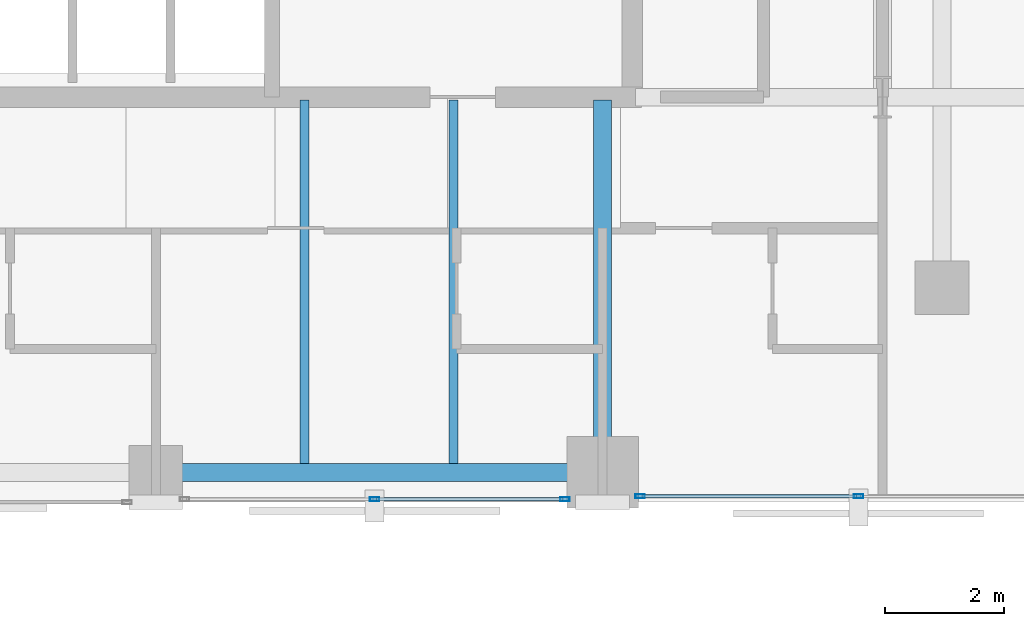
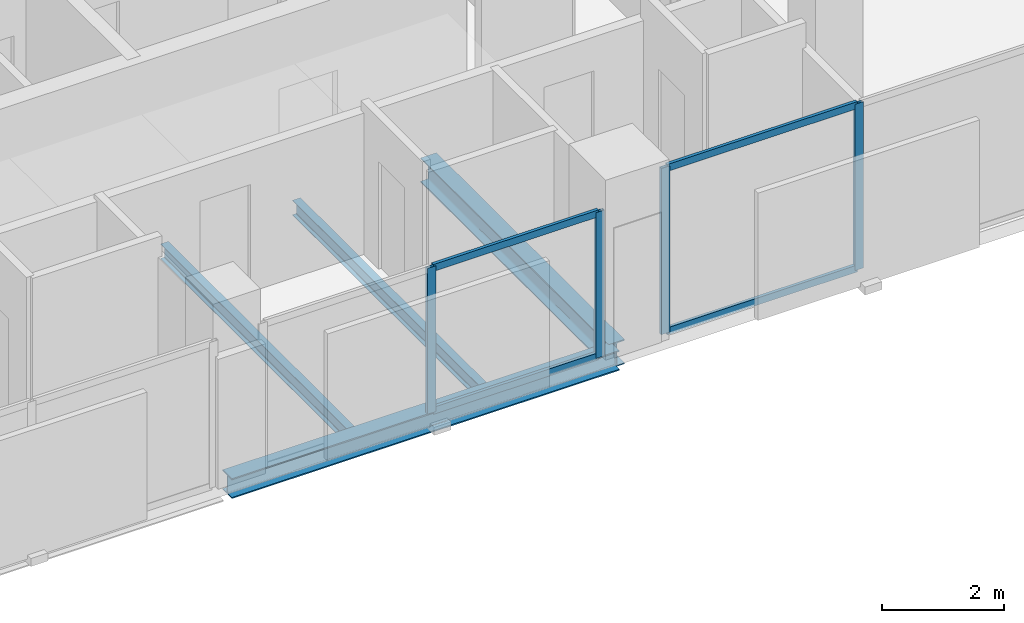
# One storey, part 14 of 35: 8 members, 4 beams, 2 elements without a shape of their own.
"""IFC4 building model written with IfcOpenShell, lengths in metres."""

from ifc_helpers import new_model, si_unit, direction, frame, origin, origin_2d, place, context, subcontext, project, spatial, hollow_rectangle, i_section, extrude, material, layer, layer_set, material_profile, profile_set, type_object, element, aggregate, save


model = new_model("IFC4")

# Units and contexts
model_context = context("Model", 3, precision=1e-05, world=origin(), true_north=direction((0.0, 1.0)))
body_context = subcontext(model_context, "Body", "Model", "MODEL_VIEW")
ifc_project = project(units=[si_unit("LENGTHUNIT", "METRE"), si_unit("AREAUNIT", "SQUARE_METRE"), si_unit("VOLUMEUNIT", "CUBIC_METRE"), si_unit("PLANEANGLEUNIT", "RADIAN"), si_unit("MASSUNIT", "GRAM", prefix="KILO")], contexts=[model_context])

# Site, building, storey
site_placement = place(None, origin())
site = spatial("IfcSite", under=ifc_project, at=site_placement, CompositionType="ELEMENT")
building_placement = place(site_placement, origin())
building = spatial("IfcBuilding", under=site, at=building_placement, Name="Catumbela Crestline Tower", CompositionType="ELEMENT")
storey_placement = place(building_placement, frame((0.0, 0.0, 90.0)))
storey = spatial("IfcBuildingStorey", under=building, at=storey_placement, Name="L22", CompositionType="ELEMENT", Elevation=90.0)

# Beams
ifc_material_1 = material(Name="Structural steel S355J2", Category="steel")
ifc_material_profile_1 = material_profile(ifc_material_1, i_section(OverallWidth=0.3, OverallDepth=0.49, WebThickness=0.012, FlangeThickness=0.023, FilletRadius=0.027, at=origin_2d()), Name="HEA 500")
ifc_profile_set_1 = profile_set([ifc_material_profile_1], Name="Structural steel S355J2")
beam_type_1 = type_object("IfcBeamType", Name="BG-HEA500", PredefinedType="BEAM", material=ifc_profile_set_1)
beam_1_placement = place(storey_placement, frame((39.5, 24.58, -0.505), z_axis=(0.0, 1.0, 0.0), x_axis=(-1.0, 0.0, 0.0)))
element("IfcBeam", 1, at=beam_1_placement, inside=storey, type_object=beam_type_1, Name="L22 Beam BM-L22-SNS31", PredefinedType="BEAM", context=body_context, shape_type="SweptSolid", body=[
    extrude(i_section(OverallWidth=0.3, OverallDepth=0.49, WebThickness=0.012, FlangeThickness=0.023, FilletRadius=0.027, at=origin_2d()), origin(), (0.0, 0.0, 1.0), 6.17),
])
ifc_material_profile_2 = material_profile(ifc_material_1, i_section(OverallWidth=0.15, OverallDepth=0.3, WebThickness=0.0071, FlangeThickness=0.0107, FilletRadius=0.015, at=origin_2d()), Name="IPE 300")
ifc_profile_set_2 = profile_set([ifc_material_profile_2], Name="Structural steel S355J2")
beam_type_2 = type_object("IfcBeamType", Name="BJ-IPE300", PredefinedType="JOIST", material=ifc_profile_set_2)
for number, where, z_axis, x_axis, name in (
    (2, (34.5, 24.647, -0.41), (0.0, 1.0, 0.0), (-1.0, 0.0, 0.0), "L22 Joist JS-L22-SP41"),
    (3, (37.0, 24.647, -0.41), (0.0, 1.0, 0.0), (-1.0, 0.0, 0.0), "L22 Joist JS-L22-SP42"),
):
    element("IfcBeam", number, at=place(storey_placement, frame(where, z_axis=z_axis, x_axis=x_axis)), inside=storey, type_object=beam_type_2, Name=name, PredefinedType="JOIST", context=body_context, shape_type="SweptSolid", body=[
        extrude(i_section(OverallWidth=0.15, OverallDepth=0.3, WebThickness=0.0071, FlangeThickness=0.0107, FilletRadius=0.015, at=origin_2d()), origin(), (0.0, 0.0, 1.0), 6.103),
    ])

# Curtain wall, members
ifc_material_2 = material(Name="Aluminium alloy AW-6060-T66", Category="aluminium")
ifc_layer = layer(ifc_material_2, 0.18, Name="Aluminium alloy AW-6060-T66")
ifc_layer_set = layer_set([ifc_layer], Name="Aluminium alloy AW-6060-T66")
curtain_wall_type = type_object("IfcCurtainWallType", Name="CWU-Z2", PredefinedType="USERDEFINED", material=ifc_layer_set)
curtain_wall_1_placement = place(storey_placement, origin())
curtain_wall_1 = element("IfcCurtainWall", 4, at=curtain_wall_1_placement, inside=storey, type_object=curtain_wall_type, Name="L22 Unitised Curtain Wall CW-L22-E3S2", ObjectType="UNITISED", PredefinedType="USERDEFINED")
ifc_material_profile_3 = material_profile(ifc_material_2, hollow_rectangle(XDim=0.06, YDim=0.16, WallThickness=0.004, at=origin_2d()), Name="ALU 160x60x4")
ifc_profile_set_3 = profile_set([ifc_material_profile_3], Name="Aluminium alloy AW-6060-T66")
member_type_1 = type_object("IfcMemberType", Name="MUL-160X60", PredefinedType="MULLION", material=ifc_profile_set_3)
member_1_placement = place(storey_placement, frame((35.675, 24.05, 0.0), z_axis=(0.0, 0.0, 1.0), x_axis=(0.0, 1.0, 0.0)))
member_1 = element("IfcMember", 5, at=member_1_placement, type_object=member_type_1, Name="CWU-Z2 mullion 2", PredefinedType="MULLION", context=body_context, shape_type="SweptSolid", body=[
    extrude(hollow_rectangle(XDim=0.06, YDim=0.16, WallThickness=0.004, at=origin_2d()), origin(), (0.0, 0.0, 1.0), 2.92),
])
member_2_placement = place(storey_placement, frame((38.8675, 24.05, 0.0), z_axis=(0.0, 0.0, 1.0), x_axis=(0.0, 1.0, 0.0)))
member_2 = element("IfcMember", 6, at=member_2_placement, type_object=member_type_1, Name="CWU-Z2 mullion 3", PredefinedType="MULLION", context=body_context, shape_type="SweptSolid", body=[
    extrude(hollow_rectangle(XDim=0.06, YDim=0.16, WallThickness=0.004, at=origin_2d()), origin(), (0.0, 0.0, 1.0), 2.92),
])

curtain_wall_2_placement = place(storey_placement, origin())
curtain_wall_2 = element("IfcCurtainWall", 7, at=curtain_wall_2_placement, inside=storey, type_object=curtain_wall_type, Name="L22 Unitised Curtain Wall CW-L22-E3S3", ObjectType="UNITISED", PredefinedType="USERDEFINED")
member_3_placement = place(storey_placement, frame((40.1325, 24.1, 0.0), z_axis=(0.0, 0.0, 1.0), x_axis=(0.0, 1.0, 0.0)))
member_3 = element("IfcMember", 8, at=member_3_placement, type_object=member_type_1, Name="CWU-Z2 mullion 1", PredefinedType="MULLION", context=body_context, shape_type="SweptSolid", body=[
    extrude(hollow_rectangle(XDim=0.06, YDim=0.16, WallThickness=0.004, at=origin_2d()), origin(), (0.0, 0.0, 1.0), 3.33),
])
member_4_placement = place(storey_placement, frame((43.8, 24.1, 0.0), z_axis=(0.0, 0.0, 1.0), x_axis=(0.0, 1.0, 0.0)))
member_4 = element("IfcMember", 9, at=member_4_placement, type_object=member_type_1, Name="CWU-Z2 mullion 2", PredefinedType="MULLION", context=body_context, shape_type="SweptSolid", body=[
    extrude(hollow_rectangle(XDim=0.06, YDim=0.16, WallThickness=0.004, at=origin_2d()), origin(), (0.0, 0.0, 1.0), 3.33),
])

# Beam
ifc_material_profile_4 = material_profile(ifc_material_1, i_section(OverallWidth=0.3, OverallDepth=0.4, WebThickness=0.0135, FlangeThickness=0.024, FilletRadius=0.027, at=origin_2d()), Name="HEB 400")
ifc_profile_set_4 = profile_set([ifc_material_profile_4], Name="Structural steel S355J2")
beam_type_3 = type_object("IfcBeamType", Name="BS-HEB400", PredefinedType="SPANDREL", material=ifc_profile_set_4)
beam_2_placement = place(storey_placement, frame((32.08, 24.5, -0.46), z_axis=(1.0, 0.0, 0.0), x_axis=(0.0, 1.0, 0.0)))
element("IfcBeam", 10, at=beam_2_placement, inside=storey, type_object=beam_type_3, Name="L22 Spandrel SP-L22-S06", PredefinedType="SPANDREL", context=body_context, shape_type="SweptSolid", body=[
    extrude(i_section(OverallWidth=0.3, OverallDepth=0.4, WebThickness=0.0135, FlangeThickness=0.024, FilletRadius=0.027, at=origin_2d()), origin(), (0.0, 0.0, 1.0), 7.34),
])

# Member
ifc_material_profile_5 = material_profile(ifc_material_2, hollow_rectangle(XDim=0.06, YDim=0.14, WallThickness=0.004, at=origin_2d()), Name="ALU 140x60x4")
ifc_profile_set_5 = profile_set([ifc_material_profile_5], Name="Aluminium alloy AW-6060-T66")
member_type_2 = type_object("IfcMemberType", Name="TRN-140X60", PredefinedType="USERDEFINED", material=ifc_profile_set_5)
member_5_placement = place(storey_placement, frame((35.7075, 24.05, 0.03), z_axis=(1.0, 0.0, 0.0), x_axis=(0.0, 1.0, 0.0)))
member_5 = element("IfcMember", 11, at=member_5_placement, type_object=member_type_2, Name="CWU-Z2 transom 2.1", ObjectType="TRANSOM", PredefinedType="USERDEFINED", context=body_context, shape_type="SweptSolid", body=[
    extrude(hollow_rectangle(XDim=0.06, YDim=0.14, WallThickness=0.004, at=origin_2d()), origin(), (0.0, 0.0, 1.0), 3.1275),
])

member_6_placement = place(storey_placement, frame((35.7075, 24.05, 2.89), z_axis=(1.0, 0.0, 0.0), x_axis=(0.0, 1.0, 0.0)))
member_6 = element("IfcMember", 12, at=member_6_placement, type_object=member_type_2, Name="CWU-Z2 transom 2.2", ObjectType="TRANSOM", PredefinedType="USERDEFINED", context=body_context, shape_type="SweptSolid", body=[
    extrude(hollow_rectangle(XDim=0.06, YDim=0.14, WallThickness=0.004, at=origin_2d()), origin(), (0.0, 0.0, 1.0), 3.1275),
])

aggregate(curtain_wall_1, [member_1, member_2, member_5, member_6])

member_7_placement = place(storey_placement, frame((40.165, 24.1, 0.03), z_axis=(1.0, 0.0, 0.0), x_axis=(0.0, 1.0, 0.0)))
member_7 = element("IfcMember", 13, at=member_7_placement, type_object=member_type_2, Name="CWU-Z2 transom 1.1", ObjectType="TRANSOM", PredefinedType="USERDEFINED", context=body_context, shape_type="SweptSolid", body=[
    extrude(hollow_rectangle(XDim=0.06, YDim=0.14, WallThickness=0.004, at=origin_2d()), origin(), (0.0, 0.0, 1.0), 3.6025),
])

member_8_placement = place(storey_placement, frame((40.165, 24.1, 3.3), z_axis=(1.0, 0.0, 0.0), x_axis=(0.0, 1.0, 0.0)))
member_8 = element("IfcMember", 14, at=member_8_placement, type_object=member_type_2, Name="CWU-Z2 transom 1.2", ObjectType="TRANSOM", PredefinedType="USERDEFINED", context=body_context, shape_type="SweptSolid", body=[
    extrude(hollow_rectangle(XDim=0.06, YDim=0.14, WallThickness=0.004, at=origin_2d()), origin(), (0.0, 0.0, 1.0), 3.6025),
])

aggregate(curtain_wall_2, [member_3, member_4, member_7, member_8])

save(model, "model.ifc")
